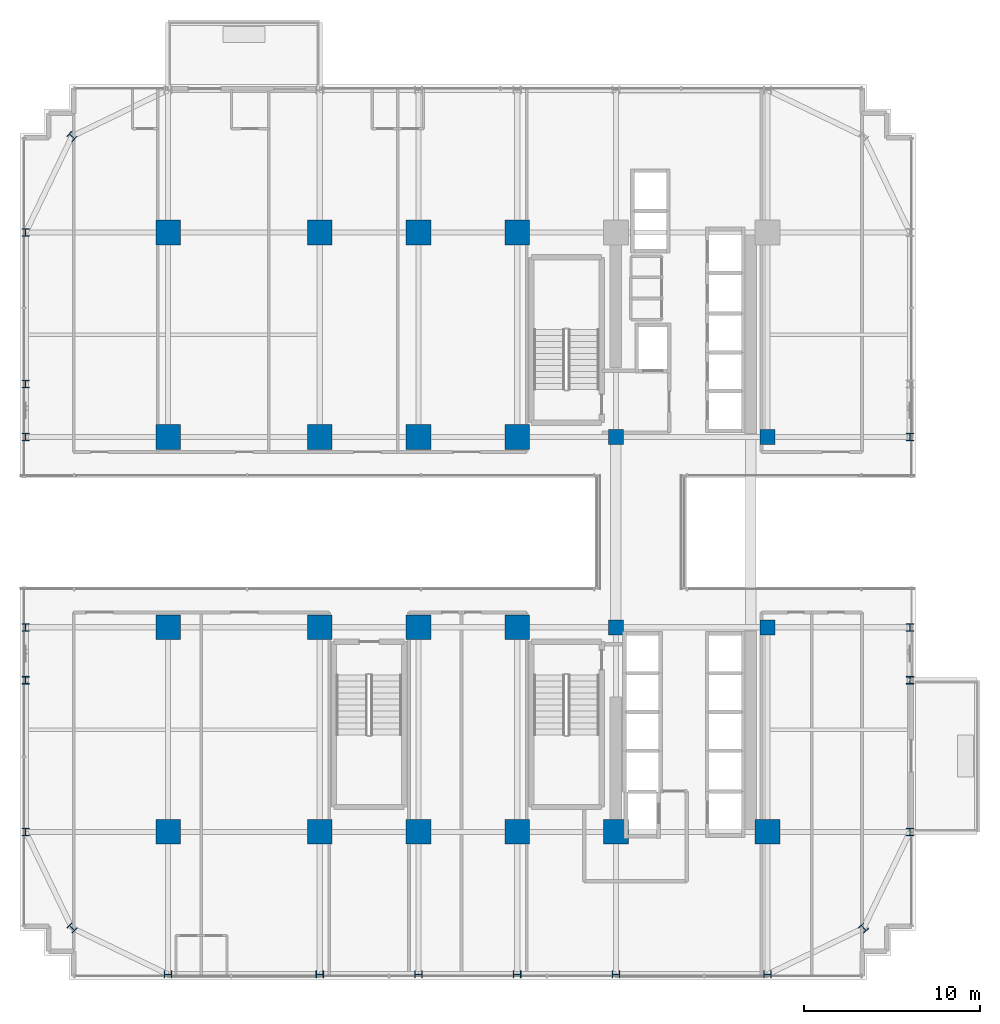
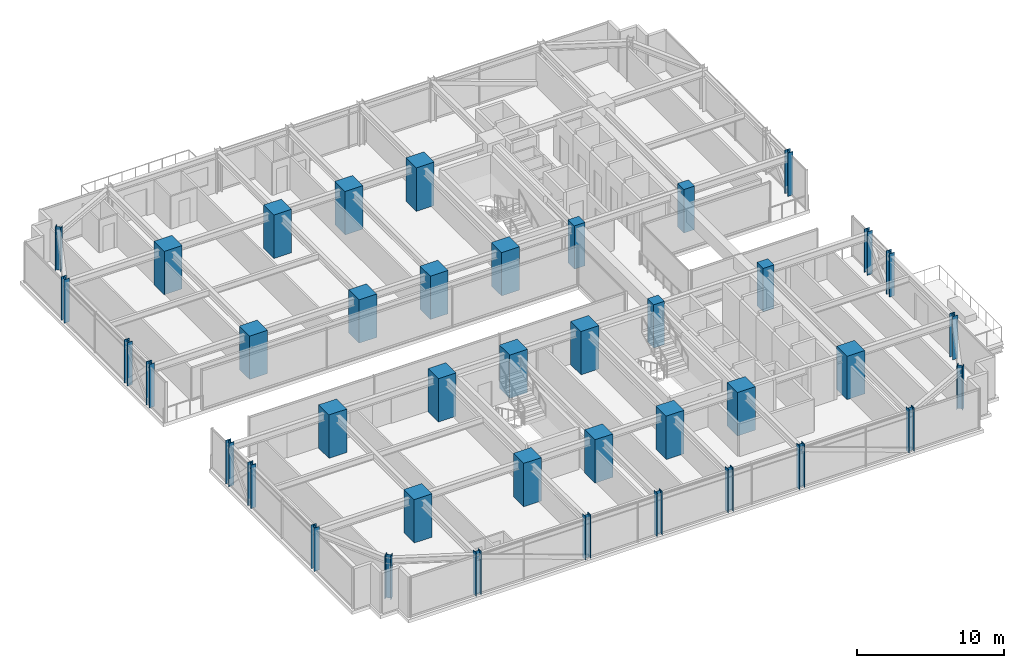
# One storey, part 1 of 41: 41 columns.
"""IFC4 building model written with IfcOpenShell, lengths in metres."""

from ifc_helpers import new_model, si_unit, direction, frame, origin, origin_2d, place, context, subcontext, project, spatial, rectangle, i_section, extrude, source, transform, mapped, material, material_profile, profile_set, type_object, element, save


model = new_model("IFC4")

# Units and contexts
model_context = context("Model", 3, precision=1e-05, world=origin(), true_north=direction((0.0, 1.0)))
body_context = subcontext(model_context, "Body", "Model", "MODEL_VIEW")
ifc_project = project(units=[si_unit("LENGTHUNIT", "METRE"), si_unit("AREAUNIT", "SQUARE_METRE"), si_unit("VOLUMEUNIT", "CUBIC_METRE"), si_unit("PLANEANGLEUNIT", "RADIAN"), si_unit("MASSUNIT", "GRAM", prefix="KILO")], contexts=[model_context])

# Site, building, storey
site_placement = place(None, origin())
site = spatial("IfcSite", under=ifc_project, at=site_placement, CompositionType="ELEMENT")
building_placement = place(site_placement, origin())
building = spatial("IfcBuilding", under=site, at=building_placement, Name="Nahalor Promenade Grand Hotel", CompositionType="ELEMENT")
storey_placement = place(building_placement, frame((0.0, 0.0, 54.300048828125)))
storey = spatial("IfcBuildingStorey", under=building, at=storey_placement, Name="L12", CompositionType="ELEMENT", Elevation=54.300048828125)

# Columns
ifc_material_1 = material(Name="Concrete B-70 (C60/75)", Category="concrete")
ifc_material_profile_1 = material_profile(ifc_material_1, rectangle(XDim=1.4, YDim=1.4, at=origin_2d()), Name="RC 1400x1400")
ifc_profile_set_1 = profile_set([ifc_material_profile_1], Name="Concrete B-70 (C60/75)")
column_type_1 = type_object("IfcColumnType", Name="Col-RC-1400", PredefinedType="COLUMN", material=ifc_profile_set_1)
shared_shape_1 = source(origin(), body_context, "Body", "SweptSolid", [
    extrude(rectangle(XDim=1.4, YDim=1.4, at=origin_2d()), origin(), (0.0, 0.0, 1.0), 3.60498046875),
])
for number, where, z_axis, x_axis, name in (
    (1, (-17.0, -17.0, 0.0), (0.0, 0.0, 1.0), (1.0, 0.0, 0.0), "COL-L12-I00"),
    (2, (-17.0, -5.39990234375, 0.0), (0.0, 0.0, 1.0), (1.0, 0.0, 0.0), "COL-L12-I01"),
    (3, (-17.0, 5.39990234375, 0.0), (0.0, 0.0, 1.0), (1.0, 0.0, 0.0), "COL-L12-I02"),
    (4, (-17.0, 17.0, 0.0), (0.0, 0.0, 1.0), (1.0, 0.0, 0.0), "COL-L12-I03"),
    (5, (-8.39990234375, -17.0, 0.0), (0.0, 0.0, 1.0), (1.0, 0.0, 0.0), "COL-L12-I10"),
    (6, (-8.39990234375, -5.39990234375, 0.0), (0.0, 0.0, 1.0), (1.0, 0.0, 0.0), "COL-L12-I11"),
    (7, (-8.39990234375, 5.39990234375, 0.0), (0.0, 0.0, 1.0), (1.0, 0.0, 0.0), "COL-L12-I12"),
    (8, (-8.39990234375, 17.0, 0.0), (0.0, 0.0, 1.0), (1.0, 0.0, 0.0), "COL-L12-I13"),
    (9, (-2.800048828125, -17.0, 0.0), (0.0, 0.0, 1.0), (1.0, 0.0, 0.0), "COL-L12-I20"),
    (10, (-2.800048828125, -5.39990234375, 0.0), (0.0, 0.0, 1.0), (1.0, 0.0, 0.0), "COL-L12-I21"),
    (11, (-2.800048828125, 5.39990234375, 0.0), (0.0, 0.0, 1.0), (1.0, 0.0, 0.0), "COL-L12-I22"),
    (12, (-2.800048828125, 17.0, 0.0), (0.0, 0.0, 1.0), (1.0, 0.0, 0.0), "COL-L12-I23"),
    (13, (2.800048828125, -17.0, 0.0), (0.0, 0.0, 1.0), (1.0, 0.0, 0.0), "COL-L12-I30"),
    (14, (2.800048828125, -5.39990234375, 0.0), (0.0, 0.0, 1.0), (1.0, 0.0, 0.0), "COL-L12-I31"),
    (15, (2.800048828125, 5.39990234375, 0.0), (0.0, 0.0, 1.0), (1.0, 0.0, 0.0), "COL-L12-I32"),
    (16, (2.800048828125, 17.0, 0.0), (0.0, 0.0, 1.0), (1.0, 0.0, 0.0), "COL-L12-I33"),
    (17, (8.39990234375, -17.0, 0.0), (0.0, 0.0, 1.0), (1.0, 0.0, 0.0), "COL-L12-I40"),
    (18, (17.0, -17.0, 0.0), (0.0, 0.0, 1.0), (1.0, 0.0, 0.0), "COL-L12-I50"),
):
    element("IfcColumn", number, at=place(storey_placement, frame(where, z_axis=z_axis, x_axis=x_axis)), inside=storey, type_object=column_type_1, Name=name, PredefinedType="COLUMN", context=body_context, shape_type="MappedRepresentation", body=[
        mapped(shared_shape_1, transform((0.0, 0.0, 0.0), scale=1.0)),
    ])
ifc_material_profile_2 = material_profile(ifc_material_1, rectangle(XDim=0.85, YDim=0.85, at=origin_2d()), Name="RC 850x850")
ifc_profile_set_2 = profile_set([ifc_material_profile_2], Name="Concrete B-70 (C60/75)")
column_type_2 = type_object("IfcColumnType", Name="Col-Pilaster-850", PredefinedType="PILASTER", material=ifc_profile_set_2)
shared_shape_2 = source(origin(), body_context, "Body", "SweptSolid", [
    extrude(rectangle(XDim=0.85, YDim=0.85, at=origin_2d()), origin(), (0.0, 0.0, 1.0), 3.60498046875),
])
for number, where, z_axis, x_axis, name in (
    (19, (8.39990234375, -5.39990234375, 0.0), (0.0, 0.0, 1.0), (1.0, 0.0, 0.0), "COL-L12-I41"),
    (20, (8.39990234375, 5.39990234375, 0.0), (0.0, 0.0, 1.0), (1.0, 0.0, 0.0), "COL-L12-I42"),
    (21, (17.0, -5.39990234375, 0.0), (0.0, 0.0, 1.0), (1.0, 0.0, 0.0), "COL-L12-I51"),
    (22, (17.0, 5.39990234375, 0.0), (0.0, 0.0, 1.0), (1.0, 0.0, 0.0), "COL-L12-I52"),
):
    element("IfcColumn", number, at=place(storey_placement, frame(where, z_axis=z_axis, x_axis=x_axis)), inside=storey, type_object=column_type_2, Name=name, PredefinedType="PILASTER", context=body_context, shape_type="MappedRepresentation", body=[
        mapped(shared_shape_2, transform((0.0, 0.0, 0.0), scale=1.0)),
    ])
ifc_material_2 = material(Name="Steel S355J2", Category="steel")
ifc_material_profile_3 = material_profile(ifc_material_2, i_section(OverallWidth=0.412, OverallDepth=0.438, WebThickness=0.0226, FlangeThickness=0.0365, at=origin_2d()), Name="HD 400x463")
ifc_profile_set_3 = profile_set([ifc_material_profile_3], Name="Steel S355J2")
column_type_3 = type_object("IfcColumnType", Name="Col-Steel-HD463", PredefinedType="COLUMN", material=ifc_profile_set_3)
shared_shape_3 = source(origin(), body_context, "Body", "SweptSolid", [
    extrude(i_section(OverallWidth=0.412, OverallDepth=0.438, WebThickness=0.0226, FlangeThickness=0.0365, at=origin_2d()), origin(), (0.0, 0.0, 1.0), 3.60498046875),
])
for number, where, z_axis, x_axis, name in (
    (23, (-25.080078125, -17.0, 0.0), (0.0, 0.0, 1.0), (1.0, 0.0, 0.0), "COL-L12-PW-W0"),
    (24, (25.080078125, -17.0, 0.0), (0.0, 0.0, 1.0), (1.0, 0.0, 0.0), "COL-L12-PW-E0"),
    (25, (-25.080078125, -8.39990234375, 0.0), (0.0, 0.0, 1.0), (1.0, 0.0, 0.0), "COL-L12-PW-W1"),
    (26, (25.080078125, -8.39990234375, 0.0), (0.0, 0.0, 1.0), (1.0, 0.0, 0.0), "COL-L12-PW-E1"),
    (27, (-25.080078125, -5.39990234375, 0.0), (0.0, 0.0, 1.0), (1.0, 0.0, 0.0), "COL-L12-PW-W2"),
    (28, (25.080078125, -5.39990234375, 0.0), (0.0, 0.0, 1.0), (1.0, 0.0, 0.0), "COL-L12-PW-E2"),
    (29, (-25.080078125, 5.39990234375, 0.0), (0.0, 0.0, 1.0), (1.0, 0.0, 0.0), "COL-L12-PW-W3"),
    (30, (25.080078125, 5.39990234375, 0.0), (0.0, 0.0, 1.0), (1.0, 0.0, 0.0), "COL-L12-PW-E3"),
    (31, (-25.080078125, 8.39990234375, 0.0), (0.0, 0.0, 1.0), (1.0, 0.0, 0.0), "COL-L12-PW-W4"),
    (32, (-25.080078125, 17.0, 0.0), (0.0, 0.0, 1.0), (1.0, 0.0, 0.0), "COL-L12-PW-W5"),
    (33, (-17.0, -25.080078125, 0.0), (0.0, 0.0, 1.0), (0.0, 1.0, 0.0), "COL-L12-PN-S0"),
    (34, (-8.39990234375, -25.080078125, 0.0), (0.0, 0.0, 1.0), (0.0, 1.0, 0.0), "COL-L12-PN-S1"),
    (35, (-2.800048828125, -25.080078125, 0.0), (0.0, 0.0, 1.0), (0.0, 1.0, 0.0), "COL-L12-PN-S2"),
    (36, (2.800048828125, -25.080078125, 0.0), (0.0, 0.0, 1.0), (0.0, 1.0, 0.0), "COL-L12-PN-S3"),
    (37, (8.39990234375, -25.080078125, 0.0), (0.0, 0.0, 1.0), (0.0, 1.0, 0.0), "COL-L12-PN-S4"),
    (38, (17.0, -25.080078125, 0.0), (0.0, 0.0, 1.0), (0.0, 1.0, 0.0), "COL-L12-PN-S5"),
    (39, (-22.449951171875, -22.449951171875, 0.0), (0.0, 0.0, 1.0), (0.707106781187, 0.707106781187, 0.0), "COL-L12-CRN-SW"),
    (40, (-22.449951171875, 22.449951171875, 0.0), (0.0, 0.0, 1.0), (0.707106781187, 0.707106781187, 0.0), "COL-L12-CRN-NW"),
    (41, (22.449951171875, -22.449951171875, 0.0), (0.0, 0.0, 1.0), (0.707106781187, 0.707106781187, 0.0), "COL-L12-CRN-SE"),
):
    element("IfcColumn", number, at=place(storey_placement, frame(where, z_axis=z_axis, x_axis=x_axis)), inside=storey, type_object=column_type_3, Name=name, PredefinedType="COLUMN", context=body_context, shape_type="MappedRepresentation", body=[
        mapped(shared_shape_3, transform((0.0, 0.0, 0.0), scale=1.0)),
    ])

save(model, "model.ifc")
